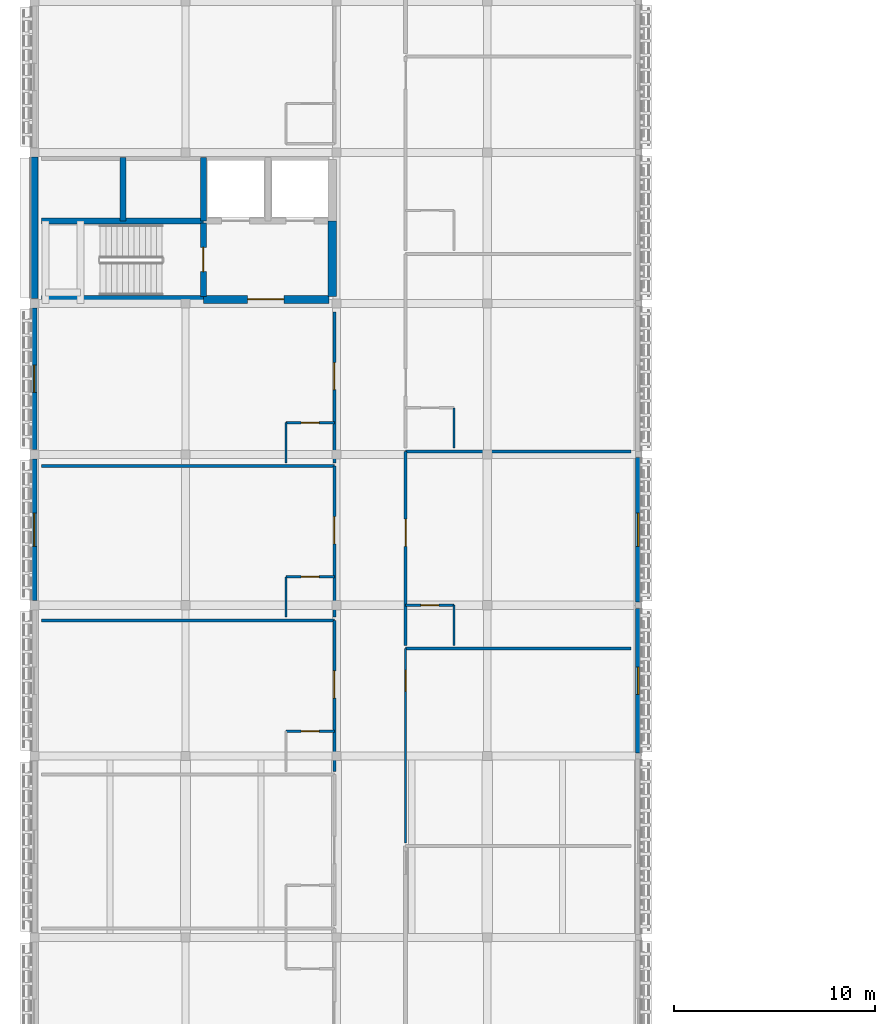
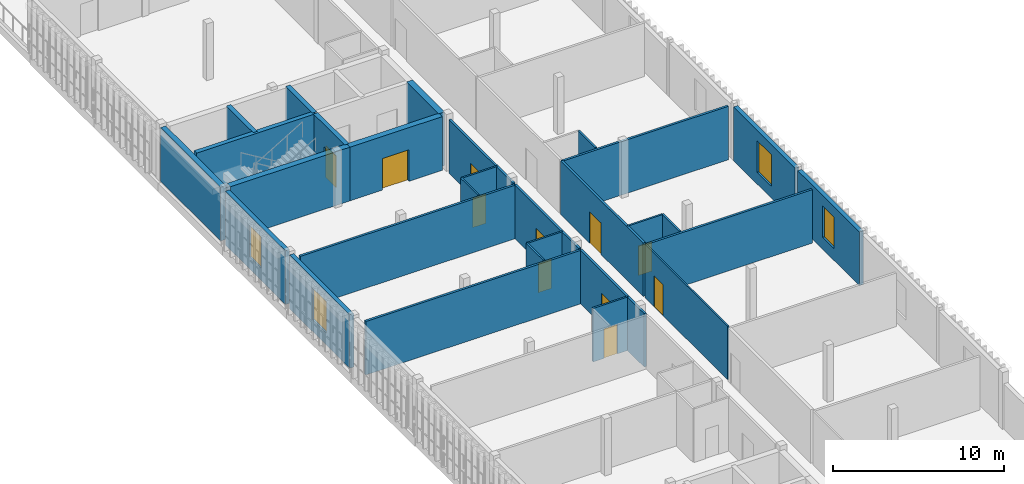
# One storey, part 4 of 13: 29 walls, 11 doors, 4 windows, 15 openings.
"""IFC4 building model written with IfcOpenShell, lengths in metres."""

from ifc_helpers import new_model, si_unit, direction, frame, frame_2d, origin, place, context, subcontext, project, spatial, rectangle, extrude, material, layer, layer_set, type_object, element, fill, save


model = new_model("IFC4")

# Units and contexts
model_context = context("Model", 3, precision=1e-05, world=origin(), true_north=direction((0.0, 1.0)))
body_context = subcontext(model_context, "Body", "Model", "MODEL_VIEW")
ifc_project = project(units=[si_unit("LENGTHUNIT", "METRE"), si_unit("AREAUNIT", "SQUARE_METRE"), si_unit("VOLUMEUNIT", "CUBIC_METRE"), si_unit("PLANEANGLEUNIT", "RADIAN"), si_unit("MASSUNIT", "GRAM", prefix="KILO")], contexts=[model_context])

# Site, building, storey
site_placement = place(None, origin())
site = spatial("IfcSite", under=ifc_project, at=site_placement, CompositionType="ELEMENT")
building_placement = place(site_placement, origin())
building = spatial("IfcBuilding", under=site, at=building_placement, Name="Dalvernix Boulevard General Hospital", CompositionType="ELEMENT")
storey_placement = place(building_placement, frame((0.0, 0.0, 30.0)))
storey = spatial("IfcBuildingStorey", under=building, at=storey_placement, Name="L07", CompositionType="ELEMENT", Elevation=30.0)

# Wall
ifc_material_1 = material(Name="Concrete C40/50", Category="concrete")
ifc_layer_1 = layer(ifc_material_1, 0.39990234375)
ifc_layer_set_1 = layer_set([ifc_layer_1], Name="Concrete C40/50 (WAL-CSW-01)")
wall_type_1 = type_object("IfcWallType", Name="WAL-CSW-01", PredefinedType="SHEAR", material=ifc_layer_set_1)
wall_1_placement = place(storey_placement, frame((0.35009765625, 54.199951171875, 0.0), z_axis=(0.0, 0.0, 1.0), x_axis=(1.0, 0.0, 0.0)))
element("IfcWall", 1, at=wall_1_placement, inside=storey, type_object=wall_type_1, Name="L07 C2 south stairwell wall", PredefinedType="SHEAR", context=body_context, shape_type="SweptSolid", body=[
    extrude(rectangle(XDim=8.0498046875, YDim=0.39990234375, at=frame_2d((4.02490234375, 0.0))), origin(), (0.0, 0.0, 1.0), 3.830078125),
])

# Wall, opening, door
wall_2_placement = place(storey_placement, frame((8.39990234375, 54.199951171875, 0.0), z_axis=(0.0, 0.0, 1.0), x_axis=(1.0, 0.0, 0.0)))
wall_2 = element("IfcWall", 2, at=wall_2_placement, inside=storey, type_object=wall_type_1, Name="L07 C2 south firefighting lobby wall", PredefinedType="SHEAR", context=body_context, shape_type="SweptSolid", body=[
    extrude(rectangle(XDim=6.25, YDim=0.39990234375, at=frame_2d((3.125, 0.0))), origin(), (0.0, 0.0, 1.0), 3.830078125),
])
opening_1_placement = place(wall_2_placement, frame((2.199951171875, 0.0, 0.0)))
opening_1 = element("IfcOpeningElement", 3, at=opening_1_placement, cuts=wall_2, Name="Opening FD-01", PredefinedType="OPENING", context=body_context, shape_type="SweptSolid", body=[
    extrude(rectangle(XDim=1.800048828125, YDim=2.25, at=frame_2d((0.89990234375, 1.125))), frame((0.0, 0.2099609375, 0.0), z_axis=(0.0, -1.0, 0.0), x_axis=(1.0, 0.0, 0.0)), (0.0, 0.0, 1.0), 0.419921875),
])
ifc_material_2 = material(Name="Hospital laminate acoustic timber and steel frame", Category="steel")
door_type_1 = type_object("IfcDoorType", Name="DR-FD-01", OperationType="DOUBLE_DOOR_SINGLE_SWING", PredefinedType="DOOR", material=ifc_material_2)
door_1_placement = place(opening_1_placement, origin())
door_1 = element("IfcDoor", 4, at=door_1_placement, inside=storey, type_object=door_type_1, Name="L07 C2 firefighting lobby door", OperationType="DOUBLE_DOOR_SINGLE_SWING", OverallHeight=2.25, OverallWidth=1.800048828125, PredefinedType="DOOR", context=body_context, shape_type="SweptSolid", body=[
    extrude(rectangle(XDim=1.800048828125, YDim=2.25, at=frame_2d((0.89990234375, 1.125))), frame((0.0, 0.02490234375, 0.0), z_axis=(0.0, -1.0, 0.0), x_axis=(1.0, 0.0, 0.0)), (0.0, 0.0, 1.0), 0.050048828125),
])
fill(opening_1, door_1)

# Walls
wall_3_placement = place(storey_placement, frame((14.800048828125, 54.35009765625, 0.0), z_axis=(0.0, 0.0, 1.0), x_axis=(0.0, 1.0, 0.0)))
element("IfcWall", 5, at=wall_3_placement, inside=storey, type_object=wall_type_1, Name="L07 C2 east lobby core wall", PredefinedType="SHEAR", context=body_context, shape_type="SweptSolid", body=[
    extrude(rectangle(XDim=3.75, YDim=0.39990234375, at=frame_2d((1.875, 0.0))), origin(), (0.0, 0.0, 1.0), 3.830078125),
])
ifc_layer_2 = layer(ifc_material_1, 0.300048828125)
ifc_layer_set_2 = layer_set([ifc_layer_2], Name="Concrete C40/50 (WAL-CSW-02)")
wall_type_2 = type_object("IfcWallType", Name="WAL-CSW-02", PredefinedType="SHEAR", material=ifc_layer_set_2)
wall_4_placement = place(storey_placement, frame((0.35009765625, 58.10009765625, 0.0), z_axis=(0.0, 0.0, 1.0), x_axis=(1.0, 0.0, 0.0)))
element("IfcWall", 6, at=wall_4_placement, inside=storey, type_object=wall_type_2, Name="L07 C2 riser spine wall", PredefinedType="SHEAR", context=body_context, shape_type="SweptSolid", body=[
    extrude(rectangle(XDim=8.0498046875, YDim=0.300048828125, at=frame_2d((4.02490234375, 0.0))), origin(), (0.0, 0.0, 1.0), 3.830078125),
])

# Wall, opening, door
wall_5_placement = place(storey_placement, frame((8.39990234375, 58.0, 0.0), z_axis=(0.0, 0.0, 1.0), x_axis=(0.0, -1.0, 0.0)))
wall_5 = element("IfcWall", 7, at=wall_5_placement, inside=storey, type_object=wall_type_2, Name="L07 C2 stairwell fire wall", PredefinedType="SHEAR", context=body_context, shape_type="SweptSolid", body=[
    extrude(rectangle(XDim=3.64990234375, YDim=0.300048828125, at=frame_2d((1.824951171875, 0.0))), origin(), (0.0, 0.0, 1.0), 3.830078125),
])
opening_2_placement = place(wall_5_placement, frame((1.219970703125, 0.0, 0.0)))
opening_2 = element("IfcOpeningElement", 8, at=opening_2_placement, cuts=wall_5, Name="Opening FD-02", PredefinedType="OPENING", context=body_context, shape_type="SweptSolid", body=[
    extrude(rectangle(XDim=1.199951171875, YDim=2.25, at=frame_2d((0.60009765625, 1.125))), frame((0.0, 0.159912109375, 0.0), z_axis=(0.0, -1.0, 0.0), x_axis=(1.0, 0.0, 0.0)), (0.0, 0.0, 1.0), 0.320068359375),
])
door_type_2 = type_object("IfcDoorType", Name="DR-FD-02", OperationType="NOTDEFINED", PredefinedType="DOOR", material=ifc_material_2)
door_2_placement = place(opening_2_placement, origin())
door_2 = element("IfcDoor", 9, at=door_2_placement, inside=storey, type_object=door_type_2, Name="L07 Stair ST-02 fire door", OperationType="SINGLE_SWING_LEFT", OverallHeight=2.25, OverallWidth=1.199951171875, PredefinedType="DOOR", context=body_context, shape_type="SweptSolid", body=[
    extrude(rectangle(XDim=1.199951171875, YDim=2.25, at=frame_2d((0.60009765625, 1.125))), frame((0.0, 0.02490234375, 0.0), z_axis=(0.0, -1.0, 0.0), x_axis=(1.0, 0.0, 0.0)), (0.0, 0.0, 1.0), 0.050048828125),
])
fill(opening_2, door_2)

# Walls
for number, where, z_axis, x_axis, name in (
    (10, (4.39990234375, 58.10009765625, 0.0), (0.0, 0.0, 1.0), (0.0, 1.0, 0.0), "L07 C2 shaft divider R1"),
    (11, (8.39990234375, 58.10009765625, 0.0), (0.0, 0.0, 1.0), (0.0, 1.0, 0.0), "L07 C2 shaft divider R2"),
):
    element("IfcWall", number, at=place(storey_placement, frame(where, z_axis=z_axis, x_axis=x_axis)), inside=storey, type_object=wall_type_2, Name=name, PredefinedType="SHEAR", context=body_context, shape_type="SweptSolid", body=[
        extrude(rectangle(XDim=3.14990234375, YDim=0.300048828125, at=frame_2d((1.574951171875, 0.0))), origin(), (0.0, 0.0, 1.0), 3.830078125),
    ])
ifc_layer_3 = layer(ifc_material_1, 0.35009765625)
ifc_layer_set_3 = layer_set([ifc_layer_3], Name="Concrete C40/50 (WAL-ESW-01)")
wall_type_3 = type_object("IfcWallType", Name="WAL-ESW-01", PredefinedType="SHEAR", material=ifc_layer_set_3)
wall_6_placement = place(storey_placement, frame((0.0, 54.235107421875, 0.0), z_axis=(0.0, 0.0, 1.0), x_axis=(0.0, 1.0, 0.0)))
element("IfcWall", 12, at=wall_6_placement, inside=storey, type_object=wall_type_3, Name="L07 core perimeter shear wall W 0-7", PredefinedType="SHEAR", context=body_context, shape_type="SweptSolid", body=[
    extrude(rectangle(XDim=7.02978515625, YDim=0.35009765625, at=frame_2d((3.514892578125, 0.0))), origin(), (0.0, 0.0, 1.0), 3.830078125),
])

# Wall, opening, window
ifc_material_3 = material(Name="Screened upper-ward insulated masonry cavity wall C35/45", Category="masonry")
ifc_layer_4 = layer(ifc_material_3, 0.280029296875)
ifc_layer_set_4 = layer_set([ifc_layer_4], Name="Screened upper-ward insulated masonry cavity wall C35/45 (WAL-EW-03)")
wall_type_4 = type_object("IfcWallType", Name="WAL-EW-03", PredefinedType="STANDARD", material=ifc_layer_set_4)
wall_7_placement = place(storey_placement, frame((0.0, 39.235107421875, 0.0), z_axis=(0.0, 0.0, 1.0), x_axis=(0.0, 1.0, 0.0)))
wall_7 = element("IfcWall", 13, at=wall_7_placement, inside=storey, type_object=wall_type_4, Name="L07 Catalan brick external wall W 0-5", PredefinedType="STANDARD", context=body_context, shape_type="SweptSolid", body=[
    extrude(rectangle(XDim=7.02978515625, YDim=0.280029296875, at=frame_2d((3.514892578125, 0.0))), origin(), (0.0, 0.0, 1.0), 3.830078125),
])
opening_3_placement = place(wall_7_placement, frame((2.68994140625, 0.0, 0.85009765625)))
opening_3 = element("IfcOpeningElement", 14, at=opening_3_placement, cuts=wall_7, Name="Opening WN-20", PredefinedType="OPENING", context=body_context, shape_type="SweptSolid", body=[
    extrude(rectangle(XDim=1.64990234375, YDim=2.25, at=frame_2d((0.824951171875, 1.125))), frame((0.0, 0.14990234375, 0.0), z_axis=(0.0, -1.0, 0.0), x_axis=(1.0, 0.0, 0.0)), (0.0, 0.0, 1.0), 0.300048828125),
])
ifc_material_4 = material(Name="Thermally broken aluminium frame with solar-control double glazing", Category="aluminium")
window_type_1 = type_object("IfcWindowType", Name="WIN-WN-20", PartitioningType="SINGLE_PANEL", PredefinedType="WINDOW", material=ifc_material_4)
window_1_placement = place(opening_3_placement, origin())
window_1 = element("IfcWindow", 15, at=window_1_placement, inside=storey, type_object=window_type_1, Name="L07 clinical window WN-20 W 0-5", OverallHeight=2.25, OverallWidth=1.64990234375, PartitioningType="SINGLE_PANEL", PredefinedType="WINDOW", context=body_context, shape_type="SweptSolid", body=[
    extrude(rectangle(XDim=1.64990234375, YDim=2.25, at=frame_2d((0.824951171875, 1.125))), frame((0.0, 0.030029296875, 0.0), z_axis=(0.0, -1.0, 0.0), x_axis=(1.0, 0.0, 0.0)), (0.0, 0.0, 1.0), 0.06005859375),
])
fill(opening_3, window_1)

wall_8_placement = place(storey_placement, frame((0.0, 46.735107421875, 0.0), z_axis=(0.0, 0.0, 1.0), x_axis=(0.0, 1.0, 0.0)))
wall_8 = element("IfcWall", 16, at=wall_8_placement, inside=storey, type_object=wall_type_4, Name="L07 Catalan brick external wall W 0-6", PredefinedType="STANDARD", context=body_context, shape_type="SweptSolid", body=[
    extrude(rectangle(XDim=7.02978515625, YDim=0.280029296875, at=frame_2d((3.514892578125, 0.0))), origin(), (0.0, 0.0, 1.0), 3.830078125),
])
opening_4_placement = place(wall_8_placement, frame((2.840087890625, 0.0, 0.85009765625)))
opening_4 = element("IfcOpeningElement", 17, at=opening_4_placement, cuts=wall_8, Name="Opening WN-19", PredefinedType="OPENING", context=body_context, shape_type="SweptSolid", body=[
    extrude(rectangle(XDim=1.35009765625, YDim=2.25, at=frame_2d((0.675048828125, 1.125))), frame((0.0, 0.14990234375, 0.0), z_axis=(0.0, -1.0, 0.0), x_axis=(1.0, 0.0, 0.0)), (0.0, 0.0, 1.0), 0.300048828125),
])
window_type_2 = type_object("IfcWindowType", Name="WIN-WN-19", PartitioningType="SINGLE_PANEL", PredefinedType="WINDOW", material=ifc_material_4)
window_2_placement = place(opening_4_placement, origin())
window_2 = element("IfcWindow", 18, at=window_2_placement, inside=storey, type_object=window_type_2, Name="L07 clinical window WN-19 W 0-6", OverallHeight=2.25, OverallWidth=1.35009765625, PartitioningType="SINGLE_PANEL", PredefinedType="WINDOW", context=body_context, shape_type="SweptSolid", body=[
    extrude(rectangle(XDim=1.35009765625, YDim=2.25, at=frame_2d((0.675048828125, 1.125))), frame((0.0, 0.030029296875, 0.0), z_axis=(0.0, -1.0, 0.0), x_axis=(1.0, 0.0, 0.0)), (0.0, 0.0, 1.0), 0.06005859375),
])
fill(opening_4, window_2)

wall_9_placement = place(storey_placement, frame((30.0, 38.85009765625, 0.0), z_axis=(0.0, 0.0, 1.0), x_axis=(0.0, -1.0, 0.0)))
wall_9 = element("IfcWall", 19, at=wall_9_placement, inside=storey, type_object=wall_type_4, Name="L07 Catalan brick external wall E 4-4", PredefinedType="STANDARD", context=body_context, shape_type="SweptSolid", body=[
    extrude(rectangle(XDim=7.2001953125, YDim=0.280029296875, at=frame_2d((3.60009765625, 0.0))), origin(), (0.0, 0.0, 1.0), 3.830078125),
])
opening_5_placement = place(wall_9_placement, frame((2.925048828125, 0.0, 0.85009765625)))
opening_5 = element("IfcOpeningElement", 20, at=opening_5_placement, cuts=wall_9, Name="Opening WN-19", PredefinedType="OPENING", context=body_context, shape_type="SweptSolid", body=[
    extrude(rectangle(XDim=1.35009765625, YDim=2.25, at=frame_2d((0.675048828125, 1.125))), frame((0.0, 0.14990234375, 0.0), z_axis=(0.0, -1.0, 0.0), x_axis=(1.0, 0.0, 0.0)), (0.0, 0.0, 1.0), 0.300048828125),
])
window_3_placement = place(opening_5_placement, origin())
window_3 = element("IfcWindow", 21, at=window_3_placement, inside=storey, type_object=window_type_2, Name="L07 clinical window WN-19 E 4-4", OverallHeight=2.25, OverallWidth=1.35009765625, PartitioningType="SINGLE_PANEL", PredefinedType="WINDOW", context=body_context, shape_type="SweptSolid", body=[
    extrude(rectangle(XDim=1.35009765625, YDim=2.25, at=frame_2d((0.675048828125, 1.125))), frame((0.0, 0.030029296875, 0.0), z_axis=(0.0, -1.0, 0.0), x_axis=(1.0, 0.0, 0.0)), (0.0, 0.0, 1.0), 0.06005859375),
])
fill(opening_5, window_3)

wall_10_placement = place(storey_placement, frame((30.0, 46.35009765625, 0.0), z_axis=(0.0, 0.0, 1.0), x_axis=(0.0, -1.0, 0.0)))
wall_10 = element("IfcWall", 22, at=wall_10_placement, inside=storey, type_object=wall_type_4, Name="L07 Catalan brick external wall E 4-5", PredefinedType="STANDARD", context=body_context, shape_type="SweptSolid", body=[
    extrude(rectangle(XDim=7.2001953125, YDim=0.280029296875, at=frame_2d((3.60009765625, 0.0))), origin(), (0.0, 0.0, 1.0), 3.830078125),
])
opening_6_placement = place(wall_10_placement, frame((2.77490234375, 0.0, 0.85009765625)))
opening_6 = element("IfcOpeningElement", 23, at=opening_6_placement, cuts=wall_10, Name="Opening WN-20", PredefinedType="OPENING", context=body_context, shape_type="SweptSolid", body=[
    extrude(rectangle(XDim=1.64990234375, YDim=2.25, at=frame_2d((0.824951171875, 1.125))), frame((0.0, 0.14990234375, 0.0), z_axis=(0.0, -1.0, 0.0), x_axis=(1.0, 0.0, 0.0)), (0.0, 0.0, 1.0), 0.300048828125),
])
window_4_placement = place(opening_6_placement, origin())
window_4 = element("IfcWindow", 24, at=window_4_placement, inside=storey, type_object=window_type_1, Name="L07 clinical window WN-20 E 4-5", OverallHeight=2.25, OverallWidth=1.64990234375, PartitioningType="SINGLE_PANEL", PredefinedType="WINDOW", context=body_context, shape_type="SweptSolid", body=[
    extrude(rectangle(XDim=1.64990234375, YDim=2.25, at=frame_2d((0.824951171875, 1.125))), frame((0.0, 0.030029296875, 0.0), z_axis=(0.0, -1.0, 0.0), x_axis=(1.0, 0.0, 0.0)), (0.0, 0.0, 1.0), 0.06005859375),
])
fill(opening_6, window_4)

# Wall, opening, door
ifc_material_5 = material(Name="Acoustic double-stud gypsum inpatient partition")
ifc_layer_5 = layer(ifc_material_5, 0.14990234375)
ifc_layer_set_5 = layer_set([ifc_layer_5], Name="Acoustic double-stud gypsum inpatient partition (WAL-IW-04)")
wall_type_5 = type_object("IfcWallType", Name="WAL-IW-04", PredefinedType="PARTITIONING", material=ifc_layer_set_5)
wall_11_placement = place(storey_placement, frame((14.89990234375, 30.75, 0.0), z_axis=(0.0, 0.0, 1.0), x_axis=(0.0, 1.0, 0.0)))
wall_11 = element("IfcWall", 25, at=wall_11_placement, inside=storey, type_object=wall_type_5, Name="L07 Rehabilitation Single Patient Room L07-W03 corridor wall", PredefinedType="PARTITIONING", context=body_context, shape_type="SweptSolid", body=[
    extrude(rectangle(XDim=7.5, YDim=0.14990234375, at=frame_2d((3.75, 0.0))), origin(), (0.0, 0.0, 1.0), 3.81494140625),
])
opening_7_placement = place(wall_11_placement, frame((3.639892578125, 0.0, 0.0)))
opening_7 = element("IfcOpeningElement", 26, at=opening_7_placement, cuts=wall_11, Name="Opening ID-01", PredefinedType="OPENING", context=body_context, shape_type="SweptSolid", body=[
    extrude(rectangle(XDim=1.35009765625, YDim=2.25, at=frame_2d((0.675048828125, 1.125))), frame((0.0, 0.0849609375, 0.0), z_axis=(0.0, -1.0, 0.0), x_axis=(1.0, 0.0, 0.0)), (0.0, 0.0, 1.0), 0.169921875),
])
door_type_3 = type_object("IfcDoorType", Name="DR-ID-01", OperationType="NOTDEFINED", PredefinedType="DOOR", material=ifc_material_2)
door_3_placement = place(opening_7_placement, origin())
door_3 = element("IfcDoor", 27, at=door_3_placement, inside=storey, type_object=door_type_3, Name="L07 Rehabilitation Single Patient Room L07-W03 door", OperationType="SINGLE_SWING_RIGHT", OverallHeight=2.25, OverallWidth=1.35009765625, PredefinedType="DOOR", context=body_context, shape_type="SweptSolid", body=[
    extrude(rectangle(XDim=1.35009765625, YDim=2.25, at=frame_2d((0.675048828125, 1.125))), frame((0.0, 0.02490234375, 0.0), z_axis=(0.0, -1.0, 0.0), x_axis=(1.0, 0.0, 0.0)), (0.0, 0.0, 1.0), 0.050048828125),
])
fill(opening_7, door_3)

wall_12_placement = place(storey_placement, frame((14.89990234375, 38.409912109375, 0.0), z_axis=(0.0, 0.0, 1.0), x_axis=(0.0, 1.0, 0.0)))
wall_12 = element("IfcWall", 28, at=wall_12_placement, inside=storey, type_object=wall_type_5, Name="L07 Palliative Care Patient Suite L07-W04 corridor wall", PredefinedType="PARTITIONING", context=body_context, shape_type="SweptSolid", body=[
    extrude(rectangle(XDim=7.5, YDim=0.14990234375, at=frame_2d((3.75, 0.0))), origin(), (0.0, 0.0, 1.0), 3.81494140625),
])
opening_8_placement = place(wall_12_placement, frame((3.639892578125, 0.0, 0.0)))
opening_8 = element("IfcOpeningElement", 29, at=opening_8_placement, cuts=wall_12, Name="Opening ID-01", PredefinedType="OPENING", context=body_context, shape_type="SweptSolid", body=[
    extrude(rectangle(XDim=1.35009765625, YDim=2.25, at=frame_2d((0.675048828125, 1.125))), frame((0.0, 0.0849609375, 0.0), z_axis=(0.0, -1.0, 0.0), x_axis=(1.0, 0.0, 0.0)), (0.0, 0.0, 1.0), 0.169921875),
])
door_4_placement = place(opening_8_placement, origin())
door_4 = element("IfcDoor", 30, at=door_4_placement, inside=storey, type_object=door_type_3, Name="L07 Palliative Care Patient Suite L07-W04 door", OperationType="SINGLE_SWING_RIGHT", OverallHeight=2.25, OverallWidth=1.35009765625, PredefinedType="DOOR", context=body_context, shape_type="SweptSolid", body=[
    extrude(rectangle(XDim=1.35009765625, YDim=2.25, at=frame_2d((0.675048828125, 1.125))), frame((0.0, 0.02490234375, 0.0), z_axis=(0.0, -1.0, 0.0), x_axis=(1.0, 0.0, 0.0)), (0.0, 0.0, 1.0), 0.050048828125),
])
fill(opening_8, door_4)

wall_13_placement = place(storey_placement, frame((14.89990234375, 46.070068359375, 0.0), z_axis=(0.0, 0.0, 1.0), x_axis=(0.0, 1.0, 0.0)))
wall_13 = element("IfcWall", 31, at=wall_13_placement, inside=storey, type_object=wall_type_5, Name="L07 Rehabilitation Single Patient Room L07-W05 corridor wall", PredefinedType="PARTITIONING", context=body_context, shape_type="SweptSolid", body=[
    extrude(rectangle(XDim=7.5, YDim=0.14990234375, at=frame_2d((3.75, 0.0))), origin(), (0.0, 0.0, 1.0), 3.81494140625),
])
opening_9_placement = place(wall_13_placement, frame((3.639892578125, 0.0, 0.0)))
opening_9 = element("IfcOpeningElement", 32, at=opening_9_placement, cuts=wall_13, Name="Opening ID-01", PredefinedType="OPENING", context=body_context, shape_type="SweptSolid", body=[
    extrude(rectangle(XDim=1.35009765625, YDim=2.25, at=frame_2d((0.675048828125, 1.125))), frame((0.0, 0.0849609375, 0.0), z_axis=(0.0, -1.0, 0.0), x_axis=(1.0, 0.0, 0.0)), (0.0, 0.0, 1.0), 0.169921875),
])
door_5_placement = place(opening_9_placement, origin())
door_5 = element("IfcDoor", 33, at=door_5_placement, inside=storey, type_object=door_type_3, Name="L07 Rehabilitation Single Patient Room L07-W05 door", OperationType="SINGLE_SWING_RIGHT", OverallHeight=2.25, OverallWidth=1.35009765625, PredefinedType="DOOR", context=body_context, shape_type="SweptSolid", body=[
    extrude(rectangle(XDim=1.35009765625, YDim=2.25, at=frame_2d((0.675048828125, 1.125))), frame((0.0, 0.02490234375, 0.0), z_axis=(0.0, -1.0, 0.0), x_axis=(1.0, 0.0, 0.0)), (0.0, 0.0, 1.0), 0.050048828125),
])
fill(opening_9, door_5)

wall_14_placement = place(storey_placement, frame((18.449951171875, 46.648681640625, 0.0), z_axis=(0.0, 0.0, 1.0), x_axis=(0.0, -1.0, 0.0)))
wall_14 = element("IfcWall", 34, at=wall_14_placement, inside=storey, type_object=wall_type_5, Name="L07 Single Patient Room L07-E03 corridor wall", PredefinedType="PARTITIONING", context=body_context, shape_type="SweptSolid", body=[
    extrude(rectangle(XDim=9.647216796875, YDim=0.14990234375, at=frame_2d((4.82373046875, 0.0))), origin(), (0.0, 0.0, 1.0), 3.81494140625),
])
opening_10_placement = place(wall_14_placement, frame((3.368896484375, 0.0, 0.0)))
opening_10 = element("IfcOpeningElement", 35, at=opening_10_placement, cuts=wall_14, Name="Opening ID-01", PredefinedType="OPENING", context=body_context, shape_type="SweptSolid", body=[
    extrude(rectangle(XDim=1.35009765625, YDim=2.25, at=frame_2d((0.675048828125, 1.125))), frame((0.0, 0.0849609375, 0.0), z_axis=(0.0, -1.0, 0.0), x_axis=(1.0, 0.0, 0.0)), (0.0, 0.0, 1.0), 0.169921875),
])
door_6_placement = place(opening_10_placement, origin())
door_6 = element("IfcDoor", 36, at=door_6_placement, inside=storey, type_object=door_type_3, Name="L07 Single Patient Room L07-E03 door", OperationType="SINGLE_SWING_LEFT", OverallHeight=2.25, OverallWidth=1.35009765625, PredefinedType="DOOR", context=body_context, shape_type="SweptSolid", body=[
    extrude(rectangle(XDim=1.35009765625, YDim=2.25, at=frame_2d((0.675048828125, 1.125))), frame((0.0, 0.02490234375, 0.0), z_axis=(0.0, -1.0, 0.0), x_axis=(1.0, 0.0, 0.0)), (0.0, 0.0, 1.0), 0.050048828125),
])
fill(opening_10, door_6)

# Walls
for number, where, z_axis, x_axis, name in (
    (37, (0.35009765625, 38.25, 0.0), (0.0, 0.0, 1.0), (1.0, 0.0, 0.0), "L07 Rehabilitation Single Patient Room L07-W03 partition"),
    (38, (0.35009765625, 45.909912109375, 0.0), (0.0, 0.0, 1.0), (1.0, 0.0, 0.0), "L07 Palliative Care Patient Suite L07-W04 partition"),
):
    element("IfcWall", number, at=place(storey_placement, frame(where, z_axis=z_axis, x_axis=x_axis)), inside=storey, type_object=wall_type_5, Name=name, PredefinedType="PARTITIONING", context=body_context, shape_type="SweptSolid", body=[
        extrude(rectangle(XDim=14.5498046875, YDim=0.14990234375, at=frame_2d((7.27490234375, 0.0))), origin(), (0.0, 0.0, 1.0), 3.81494140625),
    ])
for number, where, z_axis, x_axis, name in (
    (39, (18.449951171875, 36.84130859375, 0.0), (0.0, 0.0, 1.0), (1.0, 0.0, 0.0), "L07 Patient and Family Day Lounge L07 partition"),
    (40, (18.449951171875, 46.648681640625, 0.0), (0.0, 0.0, 1.0), (1.0, 0.0, 0.0), "L07 Single Patient Room L07-E03 partition"),
):
    element("IfcWall", number, at=place(storey_placement, frame(where, z_axis=z_axis, x_axis=x_axis)), inside=storey, type_object=wall_type_5, Name=name, PredefinedType="PARTITIONING", context=body_context, shape_type="SweptSolid", body=[
        extrude(rectangle(XDim=11.199951171875, YDim=0.14990234375, at=frame_2d((5.60009765625, 0.0))), origin(), (0.0, 0.0, 1.0), 3.81494140625),
    ])

# Wall, opening, door
ifc_material_6 = material(Name="Moisture-resistant en-suite bathroom partition")
ifc_layer_6 = layer(ifc_material_6, 0.1201171875)
ifc_layer_set_6 = layer_set([ifc_layer_6], Name="Moisture-resistant en-suite bathroom partition (WAL-IW-05)")
wall_type_6 = type_object("IfcWallType", Name="WAL-IW-05", PredefinedType="PARTITIONING", material=ifc_layer_set_6)
wall_15_placement = place(storey_placement, frame((14.89990234375, 32.75, 0.0), z_axis=(0.0, 0.0, 1.0), x_axis=(-1.0, 0.0, 0.0)))
wall_15 = element("IfcWall", 41, at=wall_15_placement, inside=storey, type_object=wall_type_6, Name="L07 en-suite bathroom door wall", PredefinedType="PARTITIONING", context=body_context, shape_type="SweptSolid", body=[
    extrude(rectangle(XDim=2.39990234375, YDim=0.1201171875, at=frame_2d((1.199951171875, 0.0))), origin(), (0.0, 0.0, 1.0), 3.81494140625),
])
opening_11_placement = place(wall_15_placement, frame((0.75, 0.0, 0.0)))
opening_11 = element("IfcOpeningElement", 42, at=opening_11_placement, cuts=wall_15, Name="Opening ID-05", PredefinedType="OPENING", context=body_context, shape_type="SweptSolid", body=[
    extrude(rectangle(XDim=0.89990234375, YDim=2.10009765625, at=frame_2d((0.449951171875, 1.050048828125))), frame((0.0, 0.070068359375, 0.0), z_axis=(0.0, -1.0, 0.0), x_axis=(1.0, 0.0, 0.0)), (0.0, 0.0, 1.0), 0.14013671875),
])
door_type_4 = type_object("IfcDoorType", Name="DR-ID-05", OperationType="NOTDEFINED", PredefinedType="DOOR", material=ifc_material_2)
door_7_placement = place(opening_11_placement, origin())
door_7 = element("IfcDoor", 43, at=door_7_placement, inside=storey, type_object=door_type_4, Name="L07 L07-WRD-W03 en-suite bathroom door", OperationType="SINGLE_SWING_LEFT", OverallHeight=2.10009765625, OverallWidth=0.89990234375, PredefinedType="DOOR", context=body_context, shape_type="SweptSolid", body=[
    extrude(rectangle(XDim=0.89990234375, YDim=2.10009765625, at=frame_2d((0.449951171875, 1.050048828125))), frame((0.0, 0.02490234375, 0.0), z_axis=(0.0, -1.0, 0.0), x_axis=(1.0, 0.0, 0.0)), (0.0, 0.0, 1.0), 0.050048828125),
])
fill(opening_11, door_7)

wall_16_placement = place(storey_placement, frame((14.89990234375, 40.409912109375, 0.0), z_axis=(0.0, 0.0, 1.0), x_axis=(-1.0, 0.0, 0.0)))
wall_16 = element("IfcWall", 44, at=wall_16_placement, inside=storey, type_object=wall_type_6, Name="L07 en-suite bathroom door wall", PredefinedType="PARTITIONING", context=body_context, shape_type="SweptSolid", body=[
    extrude(rectangle(XDim=2.39990234375, YDim=0.1201171875, at=frame_2d((1.199951171875, 0.0))), origin(), (0.0, 0.0, 1.0), 3.81494140625),
])
opening_12_placement = place(wall_16_placement, frame((0.75, 0.0, 0.0)))
opening_12 = element("IfcOpeningElement", 45, at=opening_12_placement, cuts=wall_16, Name="Opening ID-05", PredefinedType="OPENING", context=body_context, shape_type="SweptSolid", body=[
    extrude(rectangle(XDim=0.89990234375, YDim=2.10009765625, at=frame_2d((0.449951171875, 1.050048828125))), frame((0.0, 0.070068359375, 0.0), z_axis=(0.0, -1.0, 0.0), x_axis=(1.0, 0.0, 0.0)), (0.0, 0.0, 1.0), 0.14013671875),
])
door_8_placement = place(opening_12_placement, origin())
door_8 = element("IfcDoor", 46, at=door_8_placement, inside=storey, type_object=door_type_4, Name="L07 L07-WRD-W04 en-suite bathroom door", OperationType="SINGLE_SWING_LEFT", OverallHeight=2.10009765625, OverallWidth=0.89990234375, PredefinedType="DOOR", context=body_context, shape_type="SweptSolid", body=[
    extrude(rectangle(XDim=0.89990234375, YDim=2.10009765625, at=frame_2d((0.449951171875, 1.050048828125))), frame((0.0, 0.02490234375, 0.0), z_axis=(0.0, -1.0, 0.0), x_axis=(1.0, 0.0, 0.0)), (0.0, 0.0, 1.0), 0.050048828125),
])
fill(opening_12, door_8)

# Wall
wall_17_placement = place(storey_placement, frame((12.5, 38.409912109375, 0.0), z_axis=(0.0, 0.0, 1.0), x_axis=(0.0, 1.0, 0.0)))
element("IfcWall", 47, at=wall_17_placement, inside=storey, type_object=wall_type_6, Name="L07 en-suite bathroom side wall", PredefinedType="PARTITIONING", context=body_context, shape_type="SweptSolid", body=[
    extrude(rectangle(XDim=2.0, YDim=0.1201171875, at=frame_2d((1.0, 0.0))), origin(), (0.0, 0.0, 1.0), 3.81494140625),
])

# Wall, opening, door
wall_18_placement = place(storey_placement, frame((14.89990234375, 48.070068359375, 0.0), z_axis=(0.0, 0.0, 1.0), x_axis=(-1.0, 0.0, 0.0)))
wall_18 = element("IfcWall", 48, at=wall_18_placement, inside=storey, type_object=wall_type_6, Name="L07 en-suite bathroom door wall", PredefinedType="PARTITIONING", context=body_context, shape_type="SweptSolid", body=[
    extrude(rectangle(XDim=2.39990234375, YDim=0.1201171875, at=frame_2d((1.199951171875, 0.0))), origin(), (0.0, 0.0, 1.0), 3.81494140625),
])
opening_13_placement = place(wall_18_placement, frame((0.75, 0.0, 0.0)))
opening_13 = element("IfcOpeningElement", 49, at=opening_13_placement, cuts=wall_18, Name="Opening ID-05", PredefinedType="OPENING", context=body_context, shape_type="SweptSolid", body=[
    extrude(rectangle(XDim=0.89990234375, YDim=2.10009765625, at=frame_2d((0.449951171875, 1.050048828125))), frame((0.0, 0.070068359375, 0.0), z_axis=(0.0, -1.0, 0.0), x_axis=(1.0, 0.0, 0.0)), (0.0, 0.0, 1.0), 0.14013671875),
])
door_9_placement = place(opening_13_placement, origin())
door_9 = element("IfcDoor", 50, at=door_9_placement, inside=storey, type_object=door_type_4, Name="L07 L07-WRD-W05 en-suite bathroom door", OperationType="SINGLE_SWING_LEFT", OverallHeight=2.10009765625, OverallWidth=0.89990234375, PredefinedType="DOOR", context=body_context, shape_type="SweptSolid", body=[
    extrude(rectangle(XDim=0.89990234375, YDim=2.10009765625, at=frame_2d((0.449951171875, 1.050048828125))), frame((0.0, 0.02490234375, 0.0), z_axis=(0.0, -1.0, 0.0), x_axis=(1.0, 0.0, 0.0)), (0.0, 0.0, 1.0), 0.050048828125),
])
fill(opening_13, door_9)

# Wall
wall_19_placement = place(storey_placement, frame((12.5, 46.070068359375, 0.0), z_axis=(0.0, 0.0, 1.0), x_axis=(0.0, 1.0, 0.0)))
element("IfcWall", 51, at=wall_19_placement, inside=storey, type_object=wall_type_6, Name="L07 en-suite bathroom side wall", PredefinedType="PARTITIONING", context=body_context, shape_type="SweptSolid", body=[
    extrude(rectangle(XDim=2.0, YDim=0.1201171875, at=frame_2d((1.0, 0.0))), origin(), (0.0, 0.0, 1.0), 3.81494140625),
])

# Wall, opening, door
wall_20_placement = place(storey_placement, frame((20.85009765625, 39.00146484375, 0.0), z_axis=(0.0, 0.0, 1.0), x_axis=(-1.0, 0.0, 0.0)))
wall_20 = element("IfcWall", 52, at=wall_20_placement, inside=storey, type_object=wall_type_6, Name="L07 en-suite bathroom door wall", PredefinedType="PARTITIONING", context=body_context, shape_type="SweptSolid", body=[
    extrude(rectangle(XDim=2.400146484375, YDim=0.1201171875, at=frame_2d((1.2001953125, 0.0))), origin(), (0.0, 0.0, 1.0), 3.81494140625),
])
opening_14_placement = place(wall_20_placement, frame((0.75, 0.0, 0.0)))
opening_14 = element("IfcOpeningElement", 53, at=opening_14_placement, cuts=wall_20, Name="Opening ID-05", PredefinedType="OPENING", context=body_context, shape_type="SweptSolid", body=[
    extrude(rectangle(XDim=0.89990234375, YDim=2.10009765625, at=frame_2d((0.449951171875, 1.050048828125))), frame((0.0, 0.070068359375, 0.0), z_axis=(0.0, -1.0, 0.0), x_axis=(1.0, 0.0, 0.0)), (0.0, 0.0, 1.0), 0.14013671875),
])
door_10_placement = place(opening_14_placement, origin())
door_10 = element("IfcDoor", 54, at=door_10_placement, inside=storey, type_object=door_type_4, Name="L07 L07-RM-E03 en-suite bathroom door", OperationType="SINGLE_SWING_RIGHT", OverallHeight=2.10009765625, OverallWidth=0.89990234375, PredefinedType="DOOR", context=body_context, shape_type="SweptSolid", body=[
    extrude(rectangle(XDim=0.89990234375, YDim=2.10009765625, at=frame_2d((0.449951171875, 1.050048828125))), frame((0.0, 0.02490234375, 0.0), z_axis=(0.0, -1.0, 0.0), x_axis=(1.0, 0.0, 0.0)), (0.0, 0.0, 1.0), 0.050048828125),
])
fill(opening_14, door_10)

# Walls
for number, where, z_axis, x_axis, name in (
    (55, (20.85009765625, 37.00146484375, 0.0), (0.0, 0.0, 1.0), (0.0, 1.0, 0.0), "L07 en-suite bathroom side wall"),
    (56, (20.85009765625, 46.80859375, 0.0), (0.0, 0.0, 1.0), (0.0, 1.0, 0.0), "L07 en-suite bathroom side wall"),
):
    element("IfcWall", number, at=place(storey_placement, frame(where, z_axis=z_axis, x_axis=x_axis)), inside=storey, type_object=wall_type_6, Name=name, PredefinedType="PARTITIONING", context=body_context, shape_type="SweptSolid", body=[
        extrude(rectangle(XDim=2.0, YDim=0.1201171875, at=frame_2d((1.0, 0.0))), origin(), (0.0, 0.0, 1.0), 3.81494140625),
    ])

# Wall, opening, door
ifc_material_7 = material(Name="Fire-resisting clinical sub-partition")
ifc_layer_7 = layer(ifc_material_7, 0.10009765625)
ifc_layer_set_7 = layer_set([ifc_layer_7], Name="Fire-resisting clinical sub-partition (WAL-IW-06)")
wall_type_7 = type_object("IfcWallType", Name="WAL-IW-06", PredefinedType="PARTITIONING", material=ifc_layer_set_7)
wall_21_placement = place(storey_placement, frame((18.449951171875, 36.84130859375, 0.0), z_axis=(0.0, 0.0, 1.0), x_axis=(0.0, -1.0, 0.0)))
wall_21 = element("IfcWall", 57, at=wall_21_placement, inside=storey, type_object=wall_type_7, Name="L07 Patient and Family Day Lounge L07 corridor wall", PredefinedType="PARTITIONING", context=body_context, shape_type="SweptSolid", body=[
    extrude(rectangle(XDim=9.64697265625, YDim=0.10009765625, at=frame_2d((4.823486328125, 0.0))), origin(), (0.0, 0.0, 1.0), 3.81494140625),
])
opening_15_placement = place(wall_21_placement, frame((1.059814453125, 0.0, 0.0)))
opening_15 = element("IfcOpeningElement", 58, at=opening_15_placement, cuts=wall_21, Name="Opening ID-07", PredefinedType="OPENING", context=body_context, shape_type="SweptSolid", body=[
    extrude(rectangle(XDim=1.050048828125, YDim=2.199951171875, at=frame_2d((0.52490234375, 1.10009765625))), frame((0.0, 0.06005859375, 0.0), z_axis=(0.0, -1.0, 0.0), x_axis=(1.0, 0.0, 0.0)), (0.0, 0.0, 1.0), 0.1201171875),
])
door_type_5 = type_object("IfcDoorType", Name="DR-ID-07", OperationType="NOTDEFINED", PredefinedType="DOOR", material=ifc_material_2)
door_11_placement = place(opening_15_placement, origin())
door_11 = element("IfcDoor", 59, at=door_11_placement, inside=storey, type_object=door_type_5, Name="L07 Patient and Family Day Lounge L07 door", OperationType="SINGLE_SWING_RIGHT", OverallHeight=2.199951171875, OverallWidth=1.050048828125, PredefinedType="DOOR", context=body_context, shape_type="SweptSolid", body=[
    extrude(rectangle(XDim=1.050048828125, YDim=2.199951171875, at=frame_2d((0.52490234375, 1.10009765625))), frame((0.0, 0.02490234375, 0.0), z_axis=(0.0, -1.0, 0.0), x_axis=(1.0, 0.0, 0.0)), (0.0, 0.0, 1.0), 0.050048828125),
])
fill(opening_15, door_11)

save(model, "model.ifc")
